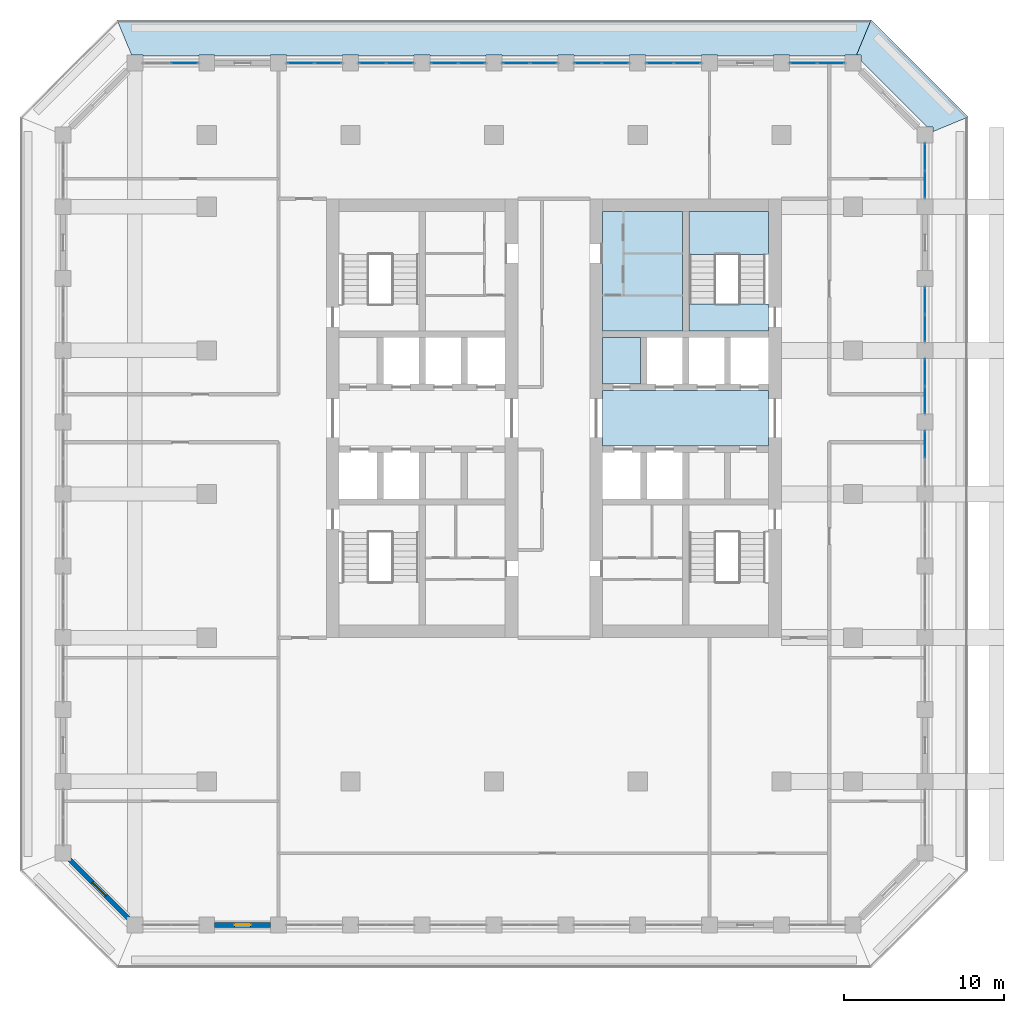
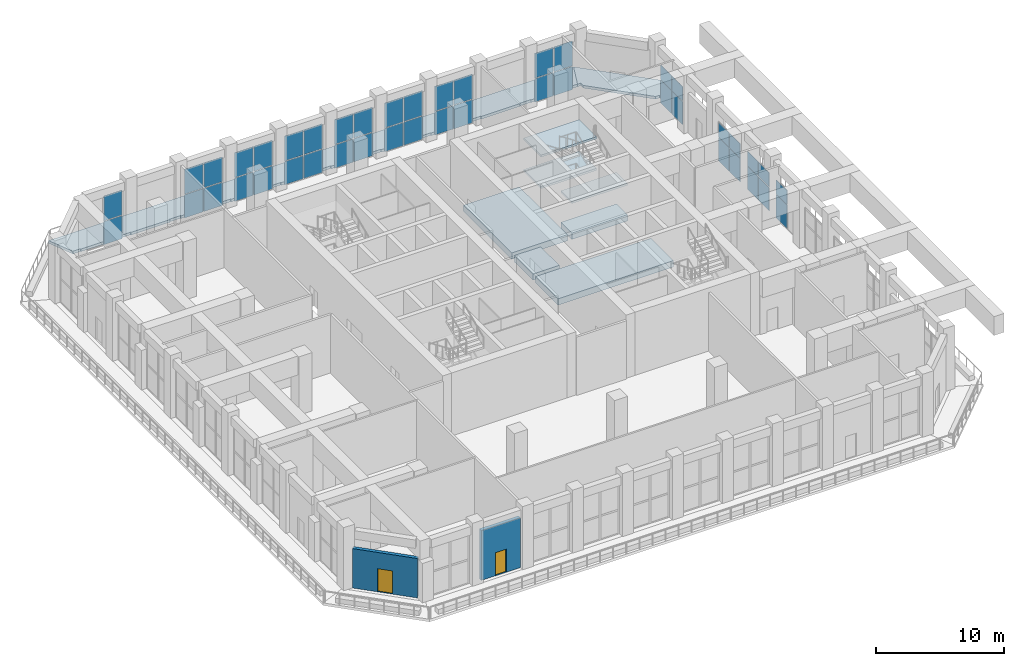
# One storey, part 12 of 25: 44 plates, 9 slabs, 2 doors, 2 walls, 2 openings, 13 elements without a shape of their own.
"""IFC4 building model written with IfcOpenShell, lengths in metres."""

from ifc_helpers import new_model, si_unit, direction, frame, frame_2d, origin, origin_2d, place, context, subcontext, project, spatial, polyline, rectangle, outline, extrude, material, layer, layer_set, type_object, element, fill, aggregate, save


model = new_model("IFC4")

# Units and contexts
model_context = context("Model", 3, precision=1e-05, world=origin(), true_north=direction((0.0, 1.0)))
body_context = subcontext(model_context, "Body", "Model", "MODEL_VIEW")
ifc_project = project(units=[si_unit("LENGTHUNIT", "METRE"), si_unit("AREAUNIT", "SQUARE_METRE"), si_unit("VOLUMEUNIT", "CUBIC_METRE"), si_unit("PLANEANGLEUNIT", "RADIAN"), si_unit("MASSUNIT", "GRAM", prefix="KILO")], contexts=[model_context])

# Site, building, storey
site_placement = place(None, origin())
site = spatial("IfcSite", under=ifc_project, at=site_placement, CompositionType="ELEMENT")
building_placement = place(site_placement, origin())
building = spatial("IfcBuilding", under=site, at=building_placement, Name="Corbel Stack Research Tower", CompositionType="ELEMENT")
storey_placement = place(building_placement, frame((0.0, 0.0, 185.5)))
storey = spatial("IfcBuildingStorey", under=building, at=storey_placement, Name="L42", CompositionType="ELEMENT", Elevation=185.5)

# Curtain wall, plates
ifc_material_1 = material(Name="Aluminium frame, clear glass", Category="aluminium")
curtain_wall_type = type_object("IfcCurtainWallType", Name="Upper amenity floor curtain wall CW3", PredefinedType="NOTDEFINED", material=ifc_material_1)
curtain_wall_1_placement = place(storey_placement, origin())
curtain_wall_1 = element("IfcCurtainWall", 1, at=curtain_wall_1_placement, inside=storey, type_object=curtain_wall_type, Name="Curtain wall CW3 L42 E06", PredefinedType="NOTDEFINED")
ifc_material_2 = material(Name="Low-emissivity glass", Category="glass")
ifc_layer_1 = layer(ifc_material_2, 0.035888671875)
ifc_layer_set_1 = layer_set([ifc_layer_1], Name="Low-emissivity glass")
plate_type = type_object("IfcPlateType", Name="Low-emissivity glazing 36", PredefinedType="CURTAIN_PANEL", material=ifc_layer_set_1)
plate_1_placement = place(storey_placement, frame((27.0, 3.110107421875, 0.06005859375), z_axis=(0.0, 0.0, 1.0), x_axis=(0.0, 1.0, 0.0)))
plate_1 = element("IfcPlate", 2, at=plate_1_placement, type_object=plate_type, Name="CW3 panel 2.1", PredefinedType="CURTAIN_PANEL", context=body_context, shape_type="SweptSolid", body=[
    extrude(rectangle(XDim=1.659912109375, YDim=0.035888671875, at=origin_2d()), origin(), (0.0, 0.0, 1.0), 2.2099609375),
])
plate_2_placement = place(storey_placement, frame((27.0, 3.110107421875, 2.330078125), z_axis=(0.0, 0.0, 1.0), x_axis=(0.0, 1.0, 0.0)))
plate_2 = element("IfcPlate", 3, at=plate_2_placement, type_object=plate_type, Name="CW3 panel 2.2", PredefinedType="CURTAIN_PANEL", context=body_context, shape_type="SweptSolid", body=[
    extrude(rectangle(XDim=1.659912109375, YDim=0.035888671875, at=origin_2d()), origin(), (0.0, 0.0, 1.0), 1.360107421875),
])
aggregate(curtain_wall_1, [plate_1, plate_2])

curtain_wall_2_placement = place(storey_placement, origin())
curtain_wall_2 = element("IfcCurtainWall", 4, at=curtain_wall_2_placement, inside=storey, type_object=curtain_wall_type, Name="Curtain wall CW3 L42 E07", PredefinedType="NOTDEFINED")
plate_3_placement = place(storey_placement, frame((27.0, 5.889892578125, 0.06005859375), z_axis=(0.0, 0.0, 1.0), x_axis=(0.0, 1.0, 0.0)))
plate_3 = element("IfcPlate", 5, at=plate_3_placement, type_object=plate_type, Name="CW3 panel 1.1", PredefinedType="CURTAIN_PANEL", context=body_context, shape_type="SweptSolid", body=[
    extrude(rectangle(XDim=1.659912109375, YDim=0.035888671875, at=origin_2d()), origin(), (0.0, 0.0, 1.0), 2.2099609375),
])
plate_4_placement = place(storey_placement, frame((27.0, 5.889892578125, 2.330078125), z_axis=(0.0, 0.0, 1.0), x_axis=(0.0, 1.0, 0.0)))
plate_4 = element("IfcPlate", 6, at=plate_4_placement, type_object=plate_type, Name="CW3 panel 1.2", PredefinedType="CURTAIN_PANEL", context=body_context, shape_type="SweptSolid", body=[
    extrude(rectangle(XDim=1.659912109375, YDim=0.035888671875, at=origin_2d()), origin(), (0.0, 0.0, 1.0), 1.360107421875),
])
plate_5_placement = place(storey_placement, frame((27.0, 7.610107421875, 0.06005859375), z_axis=(0.0, 0.0, 1.0), x_axis=(0.0, 1.0, 0.0)))
plate_5 = element("IfcPlate", 7, at=plate_5_placement, type_object=plate_type, Name="CW3 panel 2.1", PredefinedType="CURTAIN_PANEL", context=body_context, shape_type="SweptSolid", body=[
    extrude(rectangle(XDim=1.659912109375, YDim=0.035888671875, at=origin_2d()), origin(), (0.0, 0.0, 1.0), 2.2099609375),
])
plate_6_placement = place(storey_placement, frame((27.0, 7.610107421875, 2.330078125), z_axis=(0.0, 0.0, 1.0), x_axis=(0.0, 1.0, 0.0)))
plate_6 = element("IfcPlate", 8, at=plate_6_placement, type_object=plate_type, Name="CW3 panel 2.2", PredefinedType="CURTAIN_PANEL", context=body_context, shape_type="SweptSolid", body=[
    extrude(rectangle(XDim=1.659912109375, YDim=0.035888671875, at=origin_2d()), origin(), (0.0, 0.0, 1.0), 1.360107421875),
])
aggregate(curtain_wall_2, [plate_3, plate_4, plate_5, plate_6])

curtain_wall_3_placement = place(storey_placement, origin())
curtain_wall_3 = element("IfcCurtainWall", 9, at=curtain_wall_3_placement, inside=storey, type_object=curtain_wall_type, Name="Curtain wall CW3 L42 E08", PredefinedType="NOTDEFINED")
plate_7_placement = place(storey_placement, frame((27.0, 10.389892578125, 0.06005859375), z_axis=(0.0, 0.0, 1.0), x_axis=(0.0, 1.0, 0.0)))
plate_7 = element("IfcPlate", 10, at=plate_7_placement, type_object=plate_type, Name="CW3 panel 1.1", PredefinedType="CURTAIN_PANEL", context=body_context, shape_type="SweptSolid", body=[
    extrude(rectangle(XDim=1.659912109375, YDim=0.035888671875, at=origin_2d()), origin(), (0.0, 0.0, 1.0), 2.2099609375),
])
plate_8_placement = place(storey_placement, frame((27.0, 10.389892578125, 2.330078125), z_axis=(0.0, 0.0, 1.0), x_axis=(0.0, 1.0, 0.0)))
plate_8 = element("IfcPlate", 11, at=plate_8_placement, type_object=plate_type, Name="CW3 panel 1.2", PredefinedType="CURTAIN_PANEL", context=body_context, shape_type="SweptSolid", body=[
    extrude(rectangle(XDim=1.659912109375, YDim=0.035888671875, at=origin_2d()), origin(), (0.0, 0.0, 1.0), 1.360107421875),
])
plate_9_placement = place(storey_placement, frame((27.0, 12.110107421875, 0.06005859375), z_axis=(0.0, 0.0, 1.0), x_axis=(0.0, 1.0, 0.0)))
plate_9 = element("IfcPlate", 12, at=plate_9_placement, type_object=plate_type, Name="CW3 panel 2.1", PredefinedType="CURTAIN_PANEL", context=body_context, shape_type="SweptSolid", body=[
    extrude(rectangle(XDim=1.659912109375, YDim=0.035888671875, at=origin_2d()), origin(), (0.0, 0.0, 1.0), 2.2099609375),
])
plate_10_placement = place(storey_placement, frame((27.0, 12.110107421875, 2.330078125), z_axis=(0.0, 0.0, 1.0), x_axis=(0.0, 1.0, 0.0)))
plate_10 = element("IfcPlate", 13, at=plate_10_placement, type_object=plate_type, Name="CW3 panel 2.2", PredefinedType="CURTAIN_PANEL", context=body_context, shape_type="SweptSolid", body=[
    extrude(rectangle(XDim=1.659912109375, YDim=0.035888671875, at=origin_2d()), origin(), (0.0, 0.0, 1.0), 1.360107421875),
])
aggregate(curtain_wall_3, [plate_7, plate_8, plate_9, plate_10])

curtain_wall_4_placement = place(storey_placement, origin())
curtain_wall_4 = element("IfcCurtainWall", 14, at=curtain_wall_4_placement, inside=storey, type_object=curtain_wall_type, Name="Curtain wall CW3 L42 E10", PredefinedType="NOTDEFINED")
plate_11_placement = place(storey_placement, frame((27.0, 19.389892578125, 0.06005859375), z_axis=(0.0, 0.0, 1.0), x_axis=(0.0, 1.0, 0.0)))
plate_11 = element("IfcPlate", 15, at=plate_11_placement, type_object=plate_type, Name="CW3 panel 1.1", PredefinedType="CURTAIN_PANEL", context=body_context, shape_type="SweptSolid", body=[
    extrude(rectangle(XDim=1.659912109375, YDim=0.035888671875, at=origin_2d()), origin(), (0.0, 0.0, 1.0), 2.2099609375),
])
plate_12_placement = place(storey_placement, frame((27.0, 19.389892578125, 2.330078125), z_axis=(0.0, 0.0, 1.0), x_axis=(0.0, 1.0, 0.0)))
plate_12 = element("IfcPlate", 16, at=plate_12_placement, type_object=plate_type, Name="CW3 panel 1.2", PredefinedType="CURTAIN_PANEL", context=body_context, shape_type="SweptSolid", body=[
    extrude(rectangle(XDim=1.659912109375, YDim=0.035888671875, at=origin_2d()), origin(), (0.0, 0.0, 1.0), 1.360107421875),
])
plate_13_placement = place(storey_placement, frame((27.0, 21.110107421875, 0.06005859375), z_axis=(0.0, 0.0, 1.0), x_axis=(0.0, 1.0, 0.0)))
plate_13 = element("IfcPlate", 17, at=plate_13_placement, type_object=plate_type, Name="CW3 panel 2.1", PredefinedType="CURTAIN_PANEL", context=body_context, shape_type="SweptSolid", body=[
    extrude(rectangle(XDim=1.659912109375, YDim=0.035888671875, at=origin_2d()), origin(), (0.0, 0.0, 1.0), 2.2099609375),
])
plate_14_placement = place(storey_placement, frame((27.0, 21.110107421875, 2.330078125), z_axis=(0.0, 0.0, 1.0), x_axis=(0.0, 1.0, 0.0)))
plate_14 = element("IfcPlate", 18, at=plate_14_placement, type_object=plate_type, Name="CW3 panel 2.2", PredefinedType="CURTAIN_PANEL", context=body_context, shape_type="SweptSolid", body=[
    extrude(rectangle(XDim=1.659912109375, YDim=0.035888671875, at=origin_2d()), origin(), (0.0, 0.0, 1.0), 1.360107421875),
])
aggregate(curtain_wall_4, [plate_11, plate_12, plate_13, plate_14])

curtain_wall_5_placement = place(storey_placement, origin())
curtain_wall_5 = element("IfcCurtainWall", 19, at=curtain_wall_5_placement, inside=storey, type_object=curtain_wall_type, Name="Curtain wall CW3 L42 N01", PredefinedType="NOTDEFINED")
plate_15_placement = place(storey_placement, frame((21.110107421875, 27.0, 0.06005859375), z_axis=(0.0, 0.0, 1.0), x_axis=(-1.0, 0.0, 0.0)))
plate_15 = element("IfcPlate", 20, at=plate_15_placement, type_object=plate_type, Name="CW3 panel 1.1", PredefinedType="CURTAIN_PANEL", context=body_context, shape_type="SweptSolid", body=[
    extrude(rectangle(XDim=1.659912109375, YDim=0.035888671875, at=origin_2d()), origin(), (0.0, 0.0, 1.0), 2.2099609375),
])
plate_16_placement = place(storey_placement, frame((21.110107421875, 27.0, 2.330078125), z_axis=(0.0, 0.0, 1.0), x_axis=(-1.0, 0.0, 0.0)))
plate_16 = element("IfcPlate", 21, at=plate_16_placement, type_object=plate_type, Name="CW3 panel 1.2", PredefinedType="CURTAIN_PANEL", context=body_context, shape_type="SweptSolid", body=[
    extrude(rectangle(XDim=1.659912109375, YDim=0.035888671875, at=origin_2d()), origin(), (0.0, 0.0, 1.0), 2.360107421875),
])
plate_17_placement = place(storey_placement, frame((19.389892578125, 27.0, 0.06005859375), z_axis=(0.0, 0.0, 1.0), x_axis=(-1.0, 0.0, 0.0)))
plate_17 = element("IfcPlate", 22, at=plate_17_placement, type_object=plate_type, Name="CW3 panel 2.1", PredefinedType="CURTAIN_PANEL", context=body_context, shape_type="SweptSolid", body=[
    extrude(rectangle(XDim=1.659912109375, YDim=0.035888671875, at=origin_2d()), origin(), (0.0, 0.0, 1.0), 2.2099609375),
])
plate_18_placement = place(storey_placement, frame((19.389892578125, 27.0, 2.330078125), z_axis=(0.0, 0.0, 1.0), x_axis=(-1.0, 0.0, 0.0)))
plate_18 = element("IfcPlate", 23, at=plate_18_placement, type_object=plate_type, Name="CW3 panel 2.2", PredefinedType="CURTAIN_PANEL", context=body_context, shape_type="SweptSolid", body=[
    extrude(rectangle(XDim=1.659912109375, YDim=0.035888671875, at=origin_2d()), origin(), (0.0, 0.0, 1.0), 2.360107421875),
])
aggregate(curtain_wall_5, [plate_15, plate_16, plate_17, plate_18])

curtain_wall_6_placement = place(storey_placement, origin())
curtain_wall_6 = element("IfcCurtainWall", 24, at=curtain_wall_6_placement, inside=storey, type_object=curtain_wall_type, Name="Curtain wall CW3 L42 N03", PredefinedType="NOTDEFINED")
plate_19_placement = place(storey_placement, frame((12.110107421875, 27.0, 0.06005859375), z_axis=(0.0, 0.0, 1.0), x_axis=(-1.0, 0.0, 0.0)))
plate_19 = element("IfcPlate", 25, at=plate_19_placement, type_object=plate_type, Name="CW3 panel 1.1", PredefinedType="CURTAIN_PANEL", context=body_context, shape_type="SweptSolid", body=[
    extrude(rectangle(XDim=1.659912109375, YDim=0.035888671875, at=origin_2d()), origin(), (0.0, 0.0, 1.0), 2.2099609375),
])
plate_20_placement = place(storey_placement, frame((12.110107421875, 27.0, 2.330078125), z_axis=(0.0, 0.0, 1.0), x_axis=(-1.0, 0.0, 0.0)))
plate_20 = element("IfcPlate", 26, at=plate_20_placement, type_object=plate_type, Name="CW3 panel 1.2", PredefinedType="CURTAIN_PANEL", context=body_context, shape_type="SweptSolid", body=[
    extrude(rectangle(XDim=1.659912109375, YDim=0.035888671875, at=origin_2d()), origin(), (0.0, 0.0, 1.0), 2.360107421875),
])
plate_21_placement = place(storey_placement, frame((10.389892578125, 27.0, 0.06005859375), z_axis=(0.0, 0.0, 1.0), x_axis=(-1.0, 0.0, 0.0)))
plate_21 = element("IfcPlate", 27, at=plate_21_placement, type_object=plate_type, Name="CW3 panel 2.1", PredefinedType="CURTAIN_PANEL", context=body_context, shape_type="SweptSolid", body=[
    extrude(rectangle(XDim=1.659912109375, YDim=0.035888671875, at=origin_2d()), origin(), (0.0, 0.0, 1.0), 2.2099609375),
])
plate_22_placement = place(storey_placement, frame((10.389892578125, 27.0, 2.330078125), z_axis=(0.0, 0.0, 1.0), x_axis=(-1.0, 0.0, 0.0)))
plate_22 = element("IfcPlate", 28, at=plate_22_placement, type_object=plate_type, Name="CW3 panel 2.2", PredefinedType="CURTAIN_PANEL", context=body_context, shape_type="SweptSolid", body=[
    extrude(rectangle(XDim=1.659912109375, YDim=0.035888671875, at=origin_2d()), origin(), (0.0, 0.0, 1.0), 2.360107421875),
])
aggregate(curtain_wall_6, [plate_19, plate_20, plate_21, plate_22])

curtain_wall_7_placement = place(storey_placement, origin())
curtain_wall_7 = element("IfcCurtainWall", 29, at=curtain_wall_7_placement, inside=storey, type_object=curtain_wall_type, Name="Curtain wall CW3 L42 N04", PredefinedType="NOTDEFINED")
plate_23_placement = place(storey_placement, frame((7.610107421875, 27.0, 0.06005859375), z_axis=(0.0, 0.0, 1.0), x_axis=(-1.0, 0.0, 0.0)))
plate_23 = element("IfcPlate", 30, at=plate_23_placement, type_object=plate_type, Name="CW3 panel 1.1", PredefinedType="CURTAIN_PANEL", context=body_context, shape_type="SweptSolid", body=[
    extrude(rectangle(XDim=1.659912109375, YDim=0.035888671875, at=origin_2d()), origin(), (0.0, 0.0, 1.0), 2.2099609375),
])
plate_24_placement = place(storey_placement, frame((7.610107421875, 27.0, 2.330078125), z_axis=(0.0, 0.0, 1.0), x_axis=(-1.0, 0.0, 0.0)))
plate_24 = element("IfcPlate", 31, at=plate_24_placement, type_object=plate_type, Name="CW3 panel 1.2", PredefinedType="CURTAIN_PANEL", context=body_context, shape_type="SweptSolid", body=[
    extrude(rectangle(XDim=1.659912109375, YDim=0.035888671875, at=origin_2d()), origin(), (0.0, 0.0, 1.0), 2.360107421875),
])
plate_25_placement = place(storey_placement, frame((5.889892578125, 27.0, 0.06005859375), z_axis=(0.0, 0.0, 1.0), x_axis=(-1.0, 0.0, 0.0)))
plate_25 = element("IfcPlate", 32, at=plate_25_placement, type_object=plate_type, Name="CW3 panel 2.1", PredefinedType="CURTAIN_PANEL", context=body_context, shape_type="SweptSolid", body=[
    extrude(rectangle(XDim=1.659912109375, YDim=0.035888671875, at=origin_2d()), origin(), (0.0, 0.0, 1.0), 2.2099609375),
])
plate_26_placement = place(storey_placement, frame((5.889892578125, 27.0, 2.330078125), z_axis=(0.0, 0.0, 1.0), x_axis=(-1.0, 0.0, 0.0)))
plate_26 = element("IfcPlate", 33, at=plate_26_placement, type_object=plate_type, Name="CW3 panel 2.2", PredefinedType="CURTAIN_PANEL", context=body_context, shape_type="SweptSolid", body=[
    extrude(rectangle(XDim=1.659912109375, YDim=0.035888671875, at=origin_2d()), origin(), (0.0, 0.0, 1.0), 2.360107421875),
])
aggregate(curtain_wall_7, [plate_23, plate_24, plate_25, plate_26])

curtain_wall_8_placement = place(storey_placement, origin())
curtain_wall_8 = element("IfcCurtainWall", 34, at=curtain_wall_8_placement, inside=storey, type_object=curtain_wall_type, Name="Curtain wall CW3 L42 N05", PredefinedType="NOTDEFINED")
plate_27_placement = place(storey_placement, frame((3.110107421875, 27.0, 0.06005859375), z_axis=(0.0, 0.0, 1.0), x_axis=(-1.0, 0.0, 0.0)))
plate_27 = element("IfcPlate", 35, at=plate_27_placement, type_object=plate_type, Name="CW3 panel 1.1", PredefinedType="CURTAIN_PANEL", context=body_context, shape_type="SweptSolid", body=[
    extrude(rectangle(XDim=1.659912109375, YDim=0.035888671875, at=origin_2d()), origin(), (0.0, 0.0, 1.0), 2.2099609375),
])
plate_28_placement = place(storey_placement, frame((3.110107421875, 27.0, 2.330078125), z_axis=(0.0, 0.0, 1.0), x_axis=(-1.0, 0.0, 0.0)))
plate_28 = element("IfcPlate", 36, at=plate_28_placement, type_object=plate_type, Name="CW3 panel 1.2", PredefinedType="CURTAIN_PANEL", context=body_context, shape_type="SweptSolid", body=[
    extrude(rectangle(XDim=1.659912109375, YDim=0.035888671875, at=origin_2d()), origin(), (0.0, 0.0, 1.0), 2.360107421875),
])
plate_29_placement = place(storey_placement, frame((1.389892578125, 27.0, 0.06005859375), z_axis=(0.0, 0.0, 1.0), x_axis=(-1.0, 0.0, 0.0)))
plate_29 = element("IfcPlate", 37, at=plate_29_placement, type_object=plate_type, Name="CW3 panel 2.1", PredefinedType="CURTAIN_PANEL", context=body_context, shape_type="SweptSolid", body=[
    extrude(rectangle(XDim=1.659912109375, YDim=0.035888671875, at=origin_2d()), origin(), (0.0, 0.0, 1.0), 2.2099609375),
])
plate_30_placement = place(storey_placement, frame((1.389892578125, 27.0, 2.330078125), z_axis=(0.0, 0.0, 1.0), x_axis=(-1.0, 0.0, 0.0)))
plate_30 = element("IfcPlate", 38, at=plate_30_placement, type_object=plate_type, Name="CW3 panel 2.2", PredefinedType="CURTAIN_PANEL", context=body_context, shape_type="SweptSolid", body=[
    extrude(rectangle(XDim=1.659912109375, YDim=0.035888671875, at=origin_2d()), origin(), (0.0, 0.0, 1.0), 2.360107421875),
])
aggregate(curtain_wall_8, [plate_27, plate_28, plate_29, plate_30])

curtain_wall_9_placement = place(storey_placement, origin())
curtain_wall_9 = element("IfcCurtainWall", 39, at=curtain_wall_9_placement, inside=storey, type_object=curtain_wall_type, Name="Curtain wall CW3 L42 N06", PredefinedType="NOTDEFINED")
plate_31_placement = place(storey_placement, frame((-1.389892578125, 27.0, 0.06005859375), z_axis=(0.0, 0.0, 1.0), x_axis=(-1.0, 0.0, 0.0)))
plate_31 = element("IfcPlate", 40, at=plate_31_placement, type_object=plate_type, Name="CW3 panel 1.1", PredefinedType="CURTAIN_PANEL", context=body_context, shape_type="SweptSolid", body=[
    extrude(rectangle(XDim=1.659912109375, YDim=0.035888671875, at=origin_2d()), origin(), (0.0, 0.0, 1.0), 2.2099609375),
])
plate_32_placement = place(storey_placement, frame((-1.389892578125, 27.0, 2.330078125), z_axis=(0.0, 0.0, 1.0), x_axis=(-1.0, 0.0, 0.0)))
plate_32 = element("IfcPlate", 41, at=plate_32_placement, type_object=plate_type, Name="CW3 panel 1.2", PredefinedType="CURTAIN_PANEL", context=body_context, shape_type="SweptSolid", body=[
    extrude(rectangle(XDim=1.659912109375, YDim=0.035888671875, at=origin_2d()), origin(), (0.0, 0.0, 1.0), 2.360107421875),
])
plate_33_placement = place(storey_placement, frame((-3.110107421875, 27.0, 0.06005859375), z_axis=(0.0, 0.0, 1.0), x_axis=(-1.0, 0.0, 0.0)))
plate_33 = element("IfcPlate", 42, at=plate_33_placement, type_object=plate_type, Name="CW3 panel 2.1", PredefinedType="CURTAIN_PANEL", context=body_context, shape_type="SweptSolid", body=[
    extrude(rectangle(XDim=1.659912109375, YDim=0.035888671875, at=origin_2d()), origin(), (0.0, 0.0, 1.0), 2.2099609375),
])
plate_34_placement = place(storey_placement, frame((-3.110107421875, 27.0, 2.330078125), z_axis=(0.0, 0.0, 1.0), x_axis=(-1.0, 0.0, 0.0)))
plate_34 = element("IfcPlate", 43, at=plate_34_placement, type_object=plate_type, Name="CW3 panel 2.2", PredefinedType="CURTAIN_PANEL", context=body_context, shape_type="SweptSolid", body=[
    extrude(rectangle(XDim=1.659912109375, YDim=0.035888671875, at=origin_2d()), origin(), (0.0, 0.0, 1.0), 2.360107421875),
])
aggregate(curtain_wall_9, [plate_31, plate_32, plate_33, plate_34])

curtain_wall_10_placement = place(storey_placement, origin())
curtain_wall_10 = element("IfcCurtainWall", 44, at=curtain_wall_10_placement, inside=storey, type_object=curtain_wall_type, Name="Curtain wall CW3 L42 N07", PredefinedType="NOTDEFINED")
plate_35_placement = place(storey_placement, frame((-5.889892578125, 27.0, 0.06005859375), z_axis=(0.0, 0.0, 1.0), x_axis=(-1.0, 0.0, 0.0)))
plate_35 = element("IfcPlate", 45, at=plate_35_placement, type_object=plate_type, Name="CW3 panel 1.1", PredefinedType="CURTAIN_PANEL", context=body_context, shape_type="SweptSolid", body=[
    extrude(rectangle(XDim=1.659912109375, YDim=0.035888671875, at=origin_2d()), origin(), (0.0, 0.0, 1.0), 2.2099609375),
])
plate_36_placement = place(storey_placement, frame((-5.889892578125, 27.0, 2.330078125), z_axis=(0.0, 0.0, 1.0), x_axis=(-1.0, 0.0, 0.0)))
plate_36 = element("IfcPlate", 46, at=plate_36_placement, type_object=plate_type, Name="CW3 panel 1.2", PredefinedType="CURTAIN_PANEL", context=body_context, shape_type="SweptSolid", body=[
    extrude(rectangle(XDim=1.659912109375, YDim=0.035888671875, at=origin_2d()), origin(), (0.0, 0.0, 1.0), 2.360107421875),
])
plate_37_placement = place(storey_placement, frame((-7.610107421875, 27.0, 0.06005859375), z_axis=(0.0, 0.0, 1.0), x_axis=(-1.0, 0.0, 0.0)))
plate_37 = element("IfcPlate", 47, at=plate_37_placement, type_object=plate_type, Name="CW3 panel 2.1", PredefinedType="CURTAIN_PANEL", context=body_context, shape_type="SweptSolid", body=[
    extrude(rectangle(XDim=1.659912109375, YDim=0.035888671875, at=origin_2d()), origin(), (0.0, 0.0, 1.0), 2.2099609375),
])
plate_38_placement = place(storey_placement, frame((-7.610107421875, 27.0, 2.330078125), z_axis=(0.0, 0.0, 1.0), x_axis=(-1.0, 0.0, 0.0)))
plate_38 = element("IfcPlate", 48, at=plate_38_placement, type_object=plate_type, Name="CW3 panel 2.2", PredefinedType="CURTAIN_PANEL", context=body_context, shape_type="SweptSolid", body=[
    extrude(rectangle(XDim=1.659912109375, YDim=0.035888671875, at=origin_2d()), origin(), (0.0, 0.0, 1.0), 2.360107421875),
])
aggregate(curtain_wall_10, [plate_35, plate_36, plate_37, plate_38])

curtain_wall_11_placement = place(storey_placement, origin())
curtain_wall_11 = element("IfcCurtainWall", 49, at=curtain_wall_11_placement, inside=storey, type_object=curtain_wall_type, Name="Curtain wall CW3 L42 N08", PredefinedType="NOTDEFINED")
plate_39_placement = place(storey_placement, frame((-10.389892578125, 27.0, 0.06005859375), z_axis=(0.0, 0.0, 1.0), x_axis=(-1.0, 0.0, 0.0)))
plate_39 = element("IfcPlate", 50, at=plate_39_placement, type_object=plate_type, Name="CW3 panel 1.1", PredefinedType="CURTAIN_PANEL", context=body_context, shape_type="SweptSolid", body=[
    extrude(rectangle(XDim=1.659912109375, YDim=0.035888671875, at=origin_2d()), origin(), (0.0, 0.0, 1.0), 2.2099609375),
])
plate_40_placement = place(storey_placement, frame((-10.389892578125, 27.0, 2.330078125), z_axis=(0.0, 0.0, 1.0), x_axis=(-1.0, 0.0, 0.0)))
plate_40 = element("IfcPlate", 51, at=plate_40_placement, type_object=plate_type, Name="CW3 panel 1.2", PredefinedType="CURTAIN_PANEL", context=body_context, shape_type="SweptSolid", body=[
    extrude(rectangle(XDim=1.659912109375, YDim=0.035888671875, at=origin_2d()), origin(), (0.0, 0.0, 1.0), 2.360107421875),
])
plate_41_placement = place(storey_placement, frame((-12.110107421875, 27.0, 0.06005859375), z_axis=(0.0, 0.0, 1.0), x_axis=(-1.0, 0.0, 0.0)))
plate_41 = element("IfcPlate", 52, at=plate_41_placement, type_object=plate_type, Name="CW3 panel 2.1", PredefinedType="CURTAIN_PANEL", context=body_context, shape_type="SweptSolid", body=[
    extrude(rectangle(XDim=1.659912109375, YDim=0.035888671875, at=origin_2d()), origin(), (0.0, 0.0, 1.0), 2.2099609375),
])
plate_42_placement = place(storey_placement, frame((-12.110107421875, 27.0, 2.330078125), z_axis=(0.0, 0.0, 1.0), x_axis=(-1.0, 0.0, 0.0)))
plate_42 = element("IfcPlate", 53, at=plate_42_placement, type_object=plate_type, Name="CW3 panel 2.2", PredefinedType="CURTAIN_PANEL", context=body_context, shape_type="SweptSolid", body=[
    extrude(rectangle(XDim=1.659912109375, YDim=0.035888671875, at=origin_2d()), origin(), (0.0, 0.0, 1.0), 2.360107421875),
])
aggregate(curtain_wall_11, [plate_39, plate_40, plate_41, plate_42])

curtain_wall_12_placement = place(storey_placement, origin())
curtain_wall_12 = element("IfcCurtainWall", 54, at=curtain_wall_12_placement, inside=storey, type_object=curtain_wall_type, Name="Curtain wall CW3 L42 N10", PredefinedType="NOTDEFINED")
plate_43_placement = place(storey_placement, frame((-19.389892578125, 27.0, 0.06005859375), z_axis=(0.0, 0.0, 1.0), x_axis=(-1.0, 0.0, 0.0)))
plate_43 = element("IfcPlate", 55, at=plate_43_placement, type_object=plate_type, Name="CW3 panel 1.1", PredefinedType="CURTAIN_PANEL", context=body_context, shape_type="SweptSolid", body=[
    extrude(rectangle(XDim=1.659912109375, YDim=0.035888671875, at=origin_2d()), origin(), (0.0, 0.0, 1.0), 2.2099609375),
])
plate_44_placement = place(storey_placement, frame((-19.389892578125, 27.0, 2.330078125), z_axis=(0.0, 0.0, 1.0), x_axis=(-1.0, 0.0, 0.0)))
plate_44 = element("IfcPlate", 56, at=plate_44_placement, type_object=plate_type, Name="CW3 panel 1.2", PredefinedType="CURTAIN_PANEL", context=body_context, shape_type="SweptSolid", body=[
    extrude(rectangle(XDim=1.659912109375, YDim=0.035888671875, at=origin_2d()), origin(), (0.0, 0.0, 1.0), 2.360107421875),
])
aggregate(curtain_wall_12, [plate_43, plate_44])

# Slabs
ifc_material_3 = material(Name="Concrete C45/55", Category="concrete")
ifc_layer_2 = layer(ifc_material_3, 0.25)
ifc_layer_set_2 = layer_set([ifc_layer_2], Name="Concrete C45/55")
slab_type_1 = type_object("IfcSlabType", Name="PT balcony slab 250 C45/55", PredefinedType="FLOOR", material=ifc_layer_set_2)
slab_1_placement = place(storey_placement, frame((0.0, 0.0, -0.25)))
element("IfcSlab", 57, at=slab_1_placement, inside=storey, type_object=slab_type_1, Name="Loggia slab L42 NE", PredefinedType="FLOOR", context=body_context, shape_type="SweptSolid", body=[
    extrude(outline(polyline([(22.70703125, 27.5), (23.0, 27.5), (23.0, 27.136474609375), (27.136474609375, 23.0), (27.5, 23.0), (27.5, 22.70703125), (29.699951171875, 23.618408203125), (23.618408203125, 29.699951171875), (22.70703125, 27.5)])), origin(), (0.0, 0.0, 1.0), 0.25),
])
slab_2_placement = place(storey_placement, frame((0.0, 0.0, -0.25)))
element("IfcSlab", 58, at=slab_2_placement, inside=storey, type_object=slab_type_1, Name="Loggia slab L42 N", PredefinedType="FLOOR", context=body_context, shape_type="SweptSolid", body=[
    extrude(outline(polyline([(-22.70703125, 27.5), (-22.0, 27.5), (-22.0, 27.449951171875), (-18.5, 27.449951171875), (-18.5, 27.5), (-17.5, 27.5), (-17.5, 27.449951171875), (-14.0, 27.449951171875), (-14.0, 27.5), (-13.0, 27.5), (-13.0, 27.449951171875), (-9.5, 27.449951171875), (-9.5, 27.5), (-8.5, 27.5), (-8.5, 27.449951171875), (-5.0, 27.449951171875), (-5.0, 27.5), (-4.0, 27.5), (-4.0, 27.449951171875), (-0.5, 27.449951171875), (-0.5, 27.5), (0.5, 27.5), (0.5, 27.449951171875), (4.0, 27.449951171875), (4.0, 27.5), (5.0, 27.5), (5.0, 27.449951171875), (8.5, 27.449951171875), (8.5, 27.5), (9.5, 27.5), (9.5, 27.449951171875), (13.0, 27.449951171875), (13.0, 27.5), (14.0, 27.5), (14.0, 27.449951171875), (17.5, 27.449951171875), (17.5, 27.5), (18.5, 27.5), (18.5, 27.449951171875), (22.0, 27.449951171875), (22.0, 27.5), (22.70703125, 27.5), (23.618408203125, 29.699951171875), (-23.618408203125, 29.699951171875), (-22.70703125, 27.5)])), origin(), (0.0, 0.0, 1.0), 0.25),
])
ifc_material_4 = material(Name="Concrete C45/55", Category="concrete")
ifc_layer_3 = layer(ifc_material_4, 0.60009765625)
ifc_layer_set_3 = layer_set([ifc_layer_3], Name="Concrete C45/55")
slab_type_2 = type_object("IfcSlabType", Name="PT-600", PredefinedType="FLOOR", material=ifc_layer_set_3)
slab_3_placement = place(storey_placement, frame((0.0, 0.0, -0.60009765625)))
element("IfcSlab", 59, at=slab_3_placement, inside=storey, type_object=slab_type_2, Name="East core floor L42", PredefinedType="FLOOR", context=body_context, shape_type="SweptSolid", body=[
    extrude(outline(polyline([(17.199951171875, 6.5), (6.800048828125, 6.5), (6.800048828125, 3.0), (17.199951171875, 3.0), (17.199951171875, 6.5)])), origin(), (0.0, 0.0, 1.0), 0.60009765625),
])
slab_4_placement = place(storey_placement, frame((0.0, 0.0, -0.60009765625)))
element("IfcSlab", 60, at=slab_4_placement, inside=storey, type_object=slab_type_2, Name="East core floor L42", PredefinedType="FLOOR", context=body_context, shape_type="SweptSolid", body=[
    extrude(outline(polyline([(6.800048828125, 6.89990234375), (9.175048828125, 6.89990234375), (9.175048828125, 9.800048828125), (6.800048828125, 9.800048828125), (6.800048828125, 6.89990234375)])), origin(), (0.0, 0.0, 1.0), 0.60009765625),
])
slab_5_placement = place(storey_placement, frame((0.0, 0.0, -0.60009765625)))
element("IfcSlab", 61, at=slab_5_placement, inside=storey, type_object=slab_type_2, Name="East core floor L42", PredefinedType="FLOOR", context=body_context, shape_type="SweptSolid", body=[
    extrude(outline(polyline([(6.800048828125, 17.699951171875), (6.800048828125, 10.199951171875), (11.800048828125, 10.199951171875), (11.800048828125, 17.699951171875), (6.800048828125, 17.699951171875)])), origin(), (0.0, 0.0, 1.0), 0.60009765625),
])
slab_6_placement = place(storey_placement, frame((0.0, 0.0, -0.60009765625)))
element("IfcSlab", 62, at=slab_6_placement, inside=storey, type_object=slab_type_2, Name="Stair floor landing ST-E2", PredefinedType="FLOOR", context=body_context, shape_type="SweptSolid", body=[
    extrude(outline(polyline([(12.199951171875, 10.199951171875), (17.199951171875, 10.199951171875), (17.199951171875, 11.89990234375), (12.199951171875, 11.89990234375), (12.199951171875, 10.199951171875)])), origin(), (0.0, 0.0, 1.0), 0.60009765625),
])

# Stair, slabs
ifc_material_5 = material(Name="Concrete C40/50", Category="concrete")
stair_type = type_object("IfcStairType", Name="Exit stair 36 risers, 388 going", PredefinedType="HALF_TURN_STAIR", material=ifc_material_5)
stair_placement = place(storey_placement, origin())
stair = element("IfcStair", 63, at=stair_placement, inside=storey, type_object=stair_type, Name="L42 Exit stair ST-E2", PredefinedType="HALF_TURN_STAIR")
ifc_material_6 = material(Name="Concrete C40/50", Category="concrete")
ifc_layer_4 = layer(ifc_material_6, 0.199951171875)
ifc_layer_set_4 = layer_set([ifc_layer_4], Name="Concrete C40/50")
slab_type_3 = type_object("IfcSlabType", Name="Stair landing 200 C40/50", PredefinedType="LANDING", material=ifc_layer_set_4)
slab_7_placement = place(storey_placement, frame((0.0, 0.0, 1.300048828125)))
slab_7 = element("IfcSlab", 64, at=slab_7_placement, type_object=slab_type_3, Name="ST-E2 landing 1", PredefinedType="LANDING", context=body_context, shape_type="SweptSolid", body=[
    extrude(outline(polyline([(12.199951171875, 15.00390625), (12.199951171875, 17.699951171875), (17.199951171875, 17.699951171875), (17.199951171875, 15.00390625), (12.199951171875, 15.00390625)])), origin(), (0.0, 0.0, 1.0), 0.199951171875),
])
slab_8_placement = place(storey_placement, frame((0.0, 0.0, 2.800048828125)))
slab_8 = element("IfcSlab", 65, at=slab_8_placement, type_object=slab_type_3, Name="ST-E2 landing 2", PredefinedType="LANDING", context=body_context, shape_type="SweptSolid", body=[
    extrude(outline(polyline([(12.199951171875, 10.199951171875), (12.199951171875, 11.89990234375), (17.199951171875, 11.89990234375), (17.199951171875, 10.199951171875), (12.199951171875, 10.199951171875)])), origin(), (0.0, 0.0, 1.0), 0.199951171875),
])
slab_9_placement = place(storey_placement, frame((0.0, 0.0, 4.300048828125)))
slab_9 = element("IfcSlab", 66, at=slab_9_placement, type_object=slab_type_3, Name="ST-E2 landing 3", PredefinedType="LANDING", context=body_context, shape_type="SweptSolid", body=[
    extrude(outline(polyline([(12.199951171875, 15.00390625), (12.199951171875, 17.699951171875), (17.199951171875, 17.699951171875), (17.199951171875, 15.00390625), (12.199951171875, 15.00390625)])), origin(), (0.0, 0.0, 1.0), 0.199951171875),
])
aggregate(stair, [slab_7, slab_8, slab_9])

# Wall, opening, door
ifc_material_7 = material(Name="Concrete C45/55", Category="concrete")
ifc_layer_5 = layer(ifc_material_7, 0.300048828125)
ifc_layer_set_5 = layer_set([ifc_layer_5], Name="Concrete C45/55")
wall_type = type_object("IfcWallType", Name="Terracotta-faced concrete wall 300", PredefinedType="SOLIDWALL", material=ifc_layer_set_5)
wall_1_placement = place(storey_placement, frame((-14.0, -27.0, 0.0), z_axis=(0.0, 0.0, 1.0), x_axis=(-1.0, 0.0, 0.0)))
wall_1 = element("IfcWall", 67, at=wall_1_placement, inside=storey, type_object=wall_type, Name="Facade wall L42 S02", PredefinedType="SOLIDWALL", context=body_context, shape_type="SweptSolid", body=[
    extrude(rectangle(XDim=3.5, YDim=0.300048828125, at=frame_2d((1.75, 0.0))), origin(), (0.0, 0.0, 1.0), 4.75),
])
opening_1_placement = place(wall_1_placement, frame((1.25, 0.0, 0.0)))
opening_1 = element("IfcOpeningElement", 68, at=opening_1_placement, cuts=wall_1, Name="Opening L42-B01", PredefinedType="OPENING", context=body_context, shape_type="SweptSolid", body=[
    extrude(rectangle(XDim=1.0, YDim=2.199951171875, at=frame_2d((0.5, 1.10009765625))), frame((0.0, 0.159912109375, 0.0), z_axis=(0.0, -1.0, 0.0), x_axis=(1.0, 0.0, 0.0)), (0.0, 0.0, 1.0), 0.320068359375),
])
ifc_material_8 = material(Name="Aluminium frame, clear double glazing", Category="aluminium")
door_type_1 = type_object("IfcDoorType", Name="Balcony door BD1 1000 x 2200", OperationType="NOTDEFINED", PredefinedType="DOOR", material=ifc_material_8)
door_1_placement = place(opening_1_placement, origin())
door_1 = element("IfcDoor", 69, at=door_1_placement, inside=storey, type_object=door_type_1, Name="Balcony door L42-B01", OperationType="SINGLE_SWING_RIGHT", OverallHeight=2.199951171875, OverallWidth=1.0, PredefinedType="DOOR", context=body_context, shape_type="SweptSolid", body=[
    extrude(rectangle(XDim=1.0, YDim=2.199951171875, at=frame_2d((0.5, 1.10009765625))), frame((0.0, 0.02490234375, 0.0), z_axis=(0.0, -1.0, 0.0), x_axis=(1.0, 0.0, 0.0)), (0.0, 0.0, 1.0), 0.050048828125),
])
fill(opening_1, door_1)

wall_2_placement = place(storey_placement, frame((-22.893798828125, -26.606201171875, 0.0), z_axis=(0.0, 0.0, 1.0), x_axis=(-0.707106781187, 0.707106781187, 0.0)))
wall_2 = element("IfcWall", 70, at=wall_2_placement, inside=storey, type_object=wall_type, Name="Facade wall L42 SW01", PredefinedType="SOLIDWALL", context=body_context, shape_type="SweptSolid", body=[
    extrude(rectangle(XDim=5.250244140625, YDim=0.300048828125, at=frame_2d((2.625, 0.0))), origin(), (0.0, 0.0, 1.0), 3.75),
])
opening_2_placement = place(wall_2_placement, frame((2.02490234375, 0.0, 0.0)))
opening_2 = element("IfcOpeningElement", 71, at=opening_2_placement, cuts=wall_2, Name="Opening L42-B12", PredefinedType="OPENING", context=body_context, shape_type="SweptSolid", body=[
    extrude(rectangle(XDim=1.199951171875, YDim=2.199951171875, at=frame_2d((0.60009765625, 1.10009765625))), frame((0.0, 0.159912109375, 0.0), z_axis=(0.0, -1.0, 0.0), x_axis=(1.0, 0.0, 0.0)), (0.0, 0.0, 1.0), 0.320068359375),
])
ifc_material_9 = material(Name="Aluminium frame, clear double glazing", Category="aluminium")
door_type_2 = type_object("IfcDoorType", Name="Balcony door BD2 1200 x 2200", OperationType="NOTDEFINED", PredefinedType="DOOR", material=ifc_material_9)
door_2_placement = place(opening_2_placement, origin())
door_2 = element("IfcDoor", 72, at=door_2_placement, inside=storey, type_object=door_type_2, Name="Balcony door L42-B12", OperationType="SINGLE_SWING_LEFT", OverallHeight=2.199951171875, OverallWidth=1.199951171875, PredefinedType="DOOR", context=body_context, shape_type="SweptSolid", body=[
    extrude(rectangle(XDim=1.199951171875, YDim=2.199951171875, at=frame_2d((0.60009765625, 1.10009765625))), frame((0.0, 0.02490234375, 0.0), z_axis=(0.0, -1.0, 0.0), x_axis=(1.0, 0.0, 0.0)), (0.0, 0.0, 1.0), 0.050048828125),
])
fill(opening_2, door_2)

save(model, "model.ifc")
